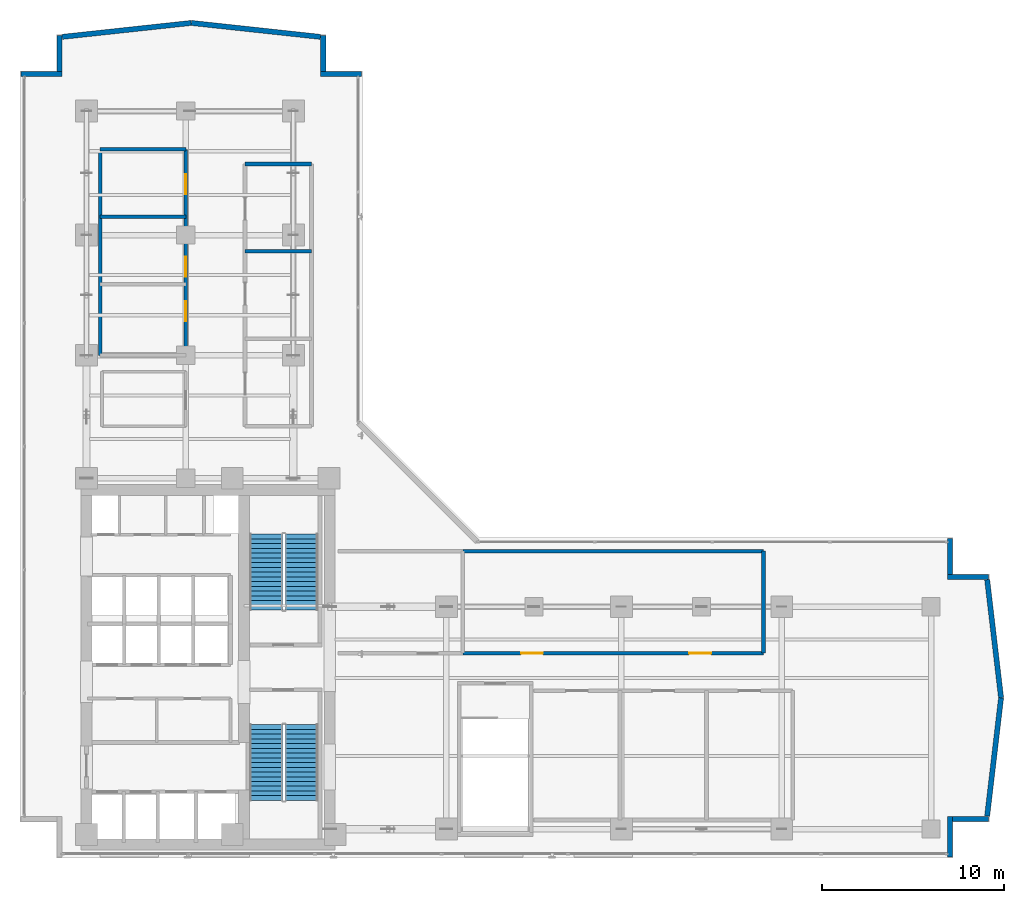
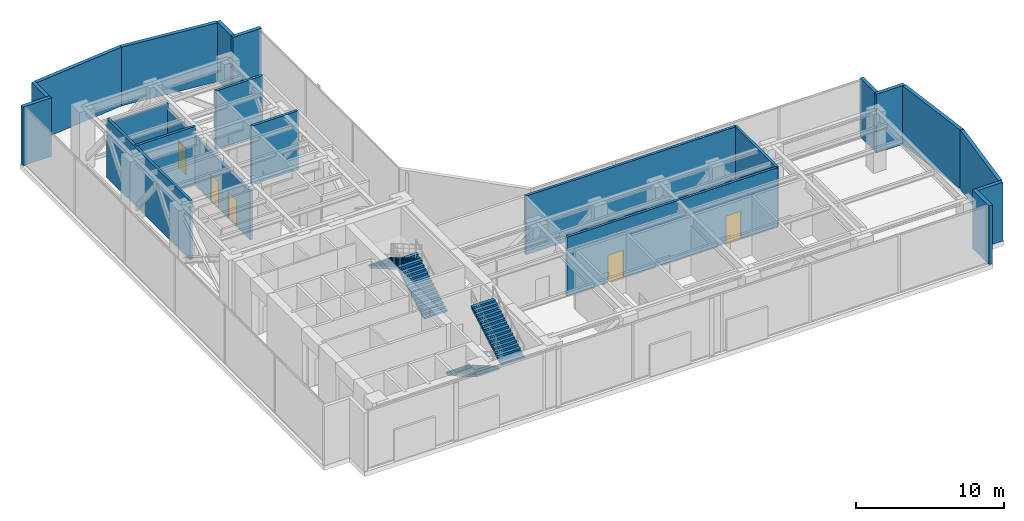
# One storey, part 32 of 36: 21 walls, 5 doors, 4 stair flights, 5 openings, 2 elements without a shape of their own.
"""IFC4 building model written with IfcOpenShell, lengths in metres."""

from ifc_helpers import new_model, si_unit, direction, frame, frame_2d, origin, place, context, subcontext, project, spatial, polyline, rectangle, outline, extrude, material, layer, layer_set, type_object, element, fill, aggregate, save


model = new_model("IFC4")

# Units and contexts
model_context = context("Model", 3, precision=1e-05, world=origin(), true_north=direction((0.0, 1.0)))
body_context = subcontext(model_context, "Body", "Model", "MODEL_VIEW")
ifc_project = project(units=[si_unit("LENGTHUNIT", "METRE"), si_unit("AREAUNIT", "SQUARE_METRE"), si_unit("VOLUMEUNIT", "CUBIC_METRE"), si_unit("PLANEANGLEUNIT", "RADIAN"), si_unit("MASSUNIT", "GRAM", prefix="KILO")], contexts=[model_context])

# Site, building, storey
site_placement = place(None, origin())
site = spatial("IfcSite", under=ifc_project, at=site_placement, CompositionType="ELEMENT")
building_placement = place(site_placement, origin())
building = spatial("IfcBuilding", under=site, at=building_placement, Name="Kolvaren Waterfront Exchange", CompositionType="ELEMENT")
storey_placement = place(building_placement, frame((0.0, 0.0, 199.39990234375)))
storey = spatial("IfcBuildingStorey", under=building, at=storey_placement, Name="L51", CompositionType="ELEMENT", Elevation=199.39990234375)

# Walls
ifc_material_1 = material(Name="Precast concrete C40/50", Category="concrete")
ifc_layer_1 = layer(ifc_material_1, 0.280029296875, Name="Precast concrete C40/50")
ifc_layer_set_1 = layer_set([ifc_layer_1], Name="Precast concrete C40/50")
wall_type_1 = type_object("IfcWallType", Name="ARC-EXT-TERR-280", PredefinedType="SOLIDWALL", material=ifc_layer_set_1)
wall_1_placement = place(storey_placement, frame((54.840087890625, 3.659912109375, 0.0), z_axis=(0.0, 0.0, 1.0), x_axis=(0.0, 1.0, 0.0)))
element("IfcWall", 1, at=wall_1_placement, inside=storey, type_object=wall_type_1, Name="L51 notched corner spandrel pier SE-A", PredefinedType="SOLIDWALL", context=body_context, shape_type="SweptSolid", body=[
    extrude(rectangle(XDim=2.239990234375, YDim=0.280029296875, at=frame_2d((1.1201171875, 0.0))), origin(), (0.0, 0.0, 1.0), 4.860107421875),
])
wall_2_placement = place(storey_placement, frame((54.97998046875, 5.760009765625, 0.0), z_axis=(0.0, 0.0, 1.0), x_axis=(1.0, 0.0, 0.0)))
element("IfcWall", 2, at=wall_2_placement, inside=storey, type_object=wall_type_1, Name="L51 notched corner spandrel pier SE-B", PredefinedType="SOLIDWALL", context=body_context, shape_type="SweptSolid", body=[
    extrude(rectangle(XDim=1.9599609375, YDim=0.280029296875, at=frame_2d((0.97998046875, 0.0))), origin(), (0.0, 0.0, 1.0), 4.860107421875),
])
wall_3_placement = place(storey_placement, frame((54.840087890625, 19.1650390625, 0.0), z_axis=(0.0, 0.0, 1.0), x_axis=(0.0, 1.0, 0.0)))
element("IfcWall", 3, at=wall_3_placement, inside=storey, type_object=wall_type_1, Name="L51 notched corner spandrel pier ENE-A", PredefinedType="SOLIDWALL", context=body_context, shape_type="SweptSolid", body=[
    extrude(rectangle(XDim=1.974853515625, YDim=0.280029296875, at=frame_2d((0.9873046875, 0.0))), origin(), (0.0, 0.0, 1.0), 4.860107421875),
])
for number, where, z_axis, x_axis, name in (
    (4, (54.699951171875, 19.0400390625, 0.0), (0.0, 0.0, 1.0), (1.0, 0.0, 0.0), "L51 notched corner spandrel pier ENE-B"),
    (5, (20.300048828125, 46.639892578125, 0.0), (0.0, 0.0, 1.0), (1.0, 0.0, 0.0), "L51 notched corner spandrel pier NNE-A"),
):
    element("IfcWall", number, at=place(storey_placement, frame(where, z_axis=z_axis, x_axis=x_axis)), inside=storey, type_object=wall_type_1, Name=name, PredefinedType="SOLIDWALL", context=body_context, shape_type="SweptSolid", body=[
        extrude(rectangle(XDim=2.239990234375, YDim=0.280029296875, at=frame_2d((1.1201171875, 0.0))), origin(), (0.0, 0.0, 1.0), 4.860107421875),
    ])
wall_4_placement = place(storey_placement, frame((20.43994140625, 46.780029296875, 0.0), z_axis=(0.0, 0.0, 1.0), x_axis=(0.0, 1.0, 0.0)))
element("IfcWall", 6, at=wall_4_placement, inside=storey, type_object=wall_type_1, Name="L51 notched corner spandrel pier NNE-B", PredefinedType="SOLIDWALL", context=body_context, shape_type="SweptSolid", body=[
    extrude(rectangle(XDim=1.9599609375, YDim=0.280029296875, at=frame_2d((0.97998046875, 0.0))), origin(), (0.0, 0.0, 1.0), 4.860107421875),
])
wall_5_placement = place(storey_placement, frame((3.860107421875, 46.639892578125, 0.0), z_axis=(0.0, 0.0, 1.0), x_axis=(1.0, 0.0, 0.0)))
element("IfcWall", 7, at=wall_5_placement, inside=storey, type_object=wall_type_1, Name="L51 notched corner spandrel pier NW-A", PredefinedType="SOLIDWALL", context=body_context, shape_type="SweptSolid", body=[
    extrude(rectangle(XDim=2.239990234375, YDim=0.280029296875, at=frame_2d((1.1201171875, 0.0))), origin(), (0.0, 0.0, 1.0), 4.860107421875),
])
wall_6_placement = place(storey_placement, frame((5.9599609375, 46.780029296875, 0.0), z_axis=(0.0, 0.0, 1.0), x_axis=(0.0, 1.0, 0.0)))
element("IfcWall", 8, at=wall_6_placement, inside=storey, type_object=wall_type_1, Name="L51 notched corner spandrel pier NW-B", PredefinedType="SOLIDWALL", context=body_context, shape_type="SweptSolid", body=[
    extrude(rectangle(XDim=1.9599609375, YDim=0.280029296875, at=frame_2d((0.97998046875, 0.0))), origin(), (0.0, 0.0, 1.0), 4.860107421875),
])
for number, where, z_axis, x_axis, name in (
    (9, (56.876220703125, 5.91650390625, 0.0), (0.0, 0.0, 1.0), (0.11685426921, 0.993149072278, 0.0), "L51 east prow faceted facade wall 1"),
    (10, (57.638916015625, 12.401123046875, 0.0), (0.0, 0.0, 1.0), (-0.11685426921, 0.993149072278, 0.0), "L51 east prow faceted facade wall 2"),
):
    element("IfcWall", number, at=place(storey_placement, frame(where, z_axis=z_axis, x_axis=x_axis)), inside=storey, type_object=wall_type_1, Name=name, PredefinedType="SOLIDWALL", context=body_context, shape_type="SweptSolid", body=[
        extrude(rectangle(XDim=6.52685546875, YDim=0.280029296875, at=frame_2d((3.263427734375, 0.0))), origin(), (0.0, 0.0, 1.0), 4.860107421875),
    ])
for number, where, z_axis, x_axis, name in (
    (11, (20.284423828125, 48.673095703125, 0.0), (0.0, 0.0, 1.0), (-0.994206651606, 0.107485505548, 0.0), "L51 north prow faceted facade wall 1"),
    (12, (13.197265625, 49.438720703125, 0.0), (0.0, 0.0, 1.0), (-0.994206651606, -0.107485505548, 0.0), "L51 north prow faceted facade wall 2"),
):
    element("IfcWall", number, at=place(storey_placement, frame(where, z_axis=z_axis, x_axis=x_axis)), inside=storey, type_object=wall_type_1, Name=name, PredefinedType="SOLIDWALL", context=body_context, shape_type="SweptSolid", body=[
        extrude(rectangle(XDim=7.123046875, YDim=0.280029296875, at=frame_2d((3.5615234375, 0.0))), origin(), (0.0, 0.0, 1.0), 4.860107421875),
    ])

# Wall, openings, doors
ifc_layer_2 = layer(ifc_material_1, 0.199951171875, Name="Precast concrete C40/50")
ifc_layer_set_2 = layer_set([ifc_layer_2], Name="Precast concrete C40/50")
wall_type_2 = type_object("IfcWallType", Name="ARC-FIRE-200", PredefinedType="PARTITIONING", material=ifc_layer_set_2)
wall_7_placement = place(storey_placement, frame((28.10009765625, 14.85009765625, 0.0), z_axis=(0.0, 0.0, 1.0), x_axis=(1.0, 0.0, 0.0)))
wall_7 = element("IfcWall", 13, at=wall_7_placement, inside=storey, type_object=wall_type_2, Name="L51 interior wall PW-L51-REF-S", PredefinedType="PARTITIONING", context=body_context, shape_type="SweptSolid", body=[
    extrude(rectangle(XDim=16.5, YDim=0.199951171875, at=frame_2d((8.25, 0.0))), origin(), (0.0, 0.0, 1.0), 4.860107421875),
])
opening_1_placement = place(wall_7_placement, frame((3.199951171875, 0.0, 0.0)))
opening_1 = element("IfcOpeningElement", 14, at=opening_1_placement, cuts=wall_7, Name="Opening FD3", PredefinedType="OPENING", context=body_context, shape_type="SweptSolid", body=[
    extrude(rectangle(XDim=1.199951171875, YDim=2.25, at=frame_2d((0.60009765625, 1.125))), frame((0.0, 0.10986328125, 0.0), z_axis=(0.0, -1.0, 0.0), x_axis=(1.0, 0.0, 0.0)), (0.0, 0.0, 1.0), 0.219970703125),
])
opening_2_placement = place(wall_7_placement, frame((12.421142578125, 0.0, 0.0)))
opening_2 = element("IfcOpeningElement", 15, at=opening_2_placement, cuts=wall_7, Name="Opening FD3", PredefinedType="OPENING", context=body_context, shape_type="SweptSolid", body=[
    extrude(rectangle(XDim=1.199951171875, YDim=2.25, at=frame_2d((0.60009765625, 1.125))), frame((0.0, 0.10986328125, 0.0), z_axis=(0.0, -1.0, 0.0), x_axis=(1.0, 0.0, 0.0)), (0.0, 0.0, 1.0), 0.219970703125),
])
ifc_material_2 = material(Name="Pressed steel fire door", Category="steel")
door_type_1 = type_object("IfcDoorType", Name="ARC-FD-1200", OperationType="NOTDEFINED", PredefinedType="DOOR", material=ifc_material_2)
door_1_placement = place(opening_1_placement, origin())
door_1 = element("IfcDoor", 16, at=door_1_placement, inside=storey, type_object=door_type_1, Name="L51 door DR-L51-REF-D1 (FD3)", OperationType="SINGLE_SWING_LEFT", OverallHeight=2.25, OverallWidth=1.199951171875, PredefinedType="DOOR", context=body_context, shape_type="SweptSolid", body=[
    extrude(rectangle(XDim=1.199951171875, YDim=2.25, at=frame_2d((0.60009765625, 1.125))), frame((0.0, 0.02490234375, 0.0), z_axis=(0.0, -1.0, 0.0), x_axis=(1.0, 0.0, 0.0)), (0.0, 0.0, 1.0), 0.050048828125),
])
fill(opening_1, door_1)
door_2_placement = place(opening_2_placement, origin())
door_2 = element("IfcDoor", 17, at=door_2_placement, inside=storey, type_object=door_type_1, Name="L51 door DR-L51-REF-D2 (FD3)", OperationType="SINGLE_SWING_RIGHT", OverallHeight=2.25, OverallWidth=1.199951171875, PredefinedType="DOOR", context=body_context, shape_type="SweptSolid", body=[
    extrude(rectangle(XDim=1.199951171875, YDim=2.25, at=frame_2d((0.60009765625, 1.125))), frame((0.0, 0.02490234375, 0.0), z_axis=(0.0, -1.0, 0.0), x_axis=(1.0, 0.0, 0.0)), (0.0, 0.0, 1.0), 0.050048828125),
])
fill(opening_2, door_2)

# Walls
wall_8_placement = place(storey_placement, frame((44.60009765625, 14.85009765625, 0.0), z_axis=(0.0, 0.0, 1.0), x_axis=(0.0, 1.0, 0.0)))
element("IfcWall", 18, at=wall_8_placement, inside=storey, type_object=wall_type_2, Name="L51 interior wall PW-L51-REF-E", PredefinedType="PARTITIONING", context=body_context, shape_type="SweptSolid", body=[
    extrude(rectangle(XDim=5.599853515625, YDim=0.199951171875, at=frame_2d((2.7998046875, 0.0))), origin(), (0.0, 0.0, 1.0), 4.860107421875),
])
wall_9_placement = place(storey_placement, frame((28.10009765625, 20.449951171875, 0.0), z_axis=(0.0, 0.0, 1.0), x_axis=(1.0, 0.0, 0.0)))
element("IfcWall", 19, at=wall_9_placement, inside=storey, type_object=wall_type_2, Name="L51 interior wall PW-L51-REF-N", PredefinedType="PARTITIONING", context=body_context, shape_type="SweptSolid", body=[
    extrude(rectangle(XDim=16.5, YDim=0.199951171875, at=frame_2d((8.25, 0.0))), origin(), (0.0, 0.0, 1.0), 4.860107421875),
])

# Wall, openings, doors
wall_10_placement = place(storey_placement, frame((12.89990234375, 31.199951171875, 0.0), z_axis=(0.0, 0.0, 1.0), x_axis=(0.0, 1.0, 0.0)))
wall_10 = element("IfcWall", 20, at=wall_10_placement, inside=storey, type_object=wall_type_2, Name="L51 interior wall PW-L51-PL-E3", PredefinedType="PARTITIONING", context=body_context, shape_type="SweptSolid", body=[
    extrude(rectangle(XDim=11.300048828125, YDim=0.199951171875, at=frame_2d((5.64990234375, 0.0))), origin(), (0.0, 0.0, 1.0), 4.06005859375),
])
opening_3_placement = place(wall_10_placement, frame((1.875, 0.0, 0.0)))
opening_3 = element("IfcOpeningElement", 21, at=opening_3_placement, cuts=wall_10, Name="Opening FD2", PredefinedType="OPENING", context=body_context, shape_type="SweptSolid", body=[
    extrude(rectangle(XDim=1.10009765625, YDim=2.199951171875, at=frame_2d((0.550048828125, 1.10009765625))), frame((0.0, 0.10986328125, 0.0), z_axis=(0.0, -1.0, 0.0), x_axis=(1.0, 0.0, 0.0)), (0.0, 0.0, 1.0), 0.219970703125),
])
opening_4_placement = place(wall_10_placement, frame((4.300048828125, 0.0, 0.0)))
opening_4 = element("IfcOpeningElement", 22, at=opening_4_placement, cuts=wall_10, Name="Opening FD2", PredefinedType="OPENING", context=body_context, shape_type="SweptSolid", body=[
    extrude(rectangle(XDim=1.10009765625, YDim=2.199951171875, at=frame_2d((0.550048828125, 1.10009765625))), frame((0.0, 0.10986328125, 0.0), z_axis=(0.0, -1.0, 0.0), x_axis=(1.0, 0.0, 0.0)), (0.0, 0.0, 1.0), 0.219970703125),
])
opening_5_placement = place(wall_10_placement, frame((8.827392578125, 0.0, 0.0)))
opening_5 = element("IfcOpeningElement", 23, at=opening_5_placement, cuts=wall_10, Name="Opening FD2", PredefinedType="OPENING", context=body_context, shape_type="SweptSolid", body=[
    extrude(rectangle(XDim=1.10009765625, YDim=2.199951171875, at=frame_2d((0.550048828125, 1.10009765625))), frame((0.0, 0.10986328125, 0.0), z_axis=(0.0, -1.0, 0.0), x_axis=(1.0, 0.0, 0.0)), (0.0, 0.0, 1.0), 0.219970703125),
])
ifc_material_3 = material(Name="Pressed steel smoke-seal fire door", Category="steel")
door_type_2 = type_object("IfcDoorType", Name="ARC-FD-1100", OperationType="NOTDEFINED", PredefinedType="DOOR", material=ifc_material_3)
door_3_placement = place(opening_3_placement, origin())
door_3 = element("IfcDoor", 24, at=door_3_placement, inside=storey, type_object=door_type_2, Name="L51 door DR-L51-PLNW-D1 (FD2)", OperationType="SINGLE_SWING_RIGHT", OverallHeight=2.199951171875, OverallWidth=1.10009765625, PredefinedType="DOOR", context=body_context, shape_type="SweptSolid", body=[
    extrude(rectangle(XDim=1.10009765625, YDim=2.199951171875, at=frame_2d((0.550048828125, 1.10009765625))), frame((0.0, 0.02490234375, 0.0), z_axis=(0.0, -1.0, 0.0), x_axis=(1.0, 0.0, 0.0)), (0.0, 0.0, 1.0), 0.050048828125),
])
fill(opening_3, door_3)
door_4_placement = place(opening_4_placement, origin())
door_4 = element("IfcDoor", 25, at=door_4_placement, inside=storey, type_object=door_type_2, Name="L51 door DR-L51-PLNW-D2 (FD2)", OperationType="SINGLE_SWING_LEFT", OverallHeight=2.199951171875, OverallWidth=1.10009765625, PredefinedType="DOOR", context=body_context, shape_type="SweptSolid", body=[
    extrude(rectangle(XDim=1.10009765625, YDim=2.199951171875, at=frame_2d((0.550048828125, 1.10009765625))), frame((0.0, 0.02490234375, 0.0), z_axis=(0.0, -1.0, 0.0), x_axis=(1.0, 0.0, 0.0)), (0.0, 0.0, 1.0), 0.050048828125),
])
fill(opening_4, door_4)
door_5_placement = place(opening_5_placement, origin())
door_5 = element("IfcDoor", 26, at=door_5_placement, inside=storey, type_object=door_type_2, Name="L51 door DR-L51-PLNW-D3 (FD2)", OperationType="SINGLE_SWING_RIGHT", OverallHeight=2.199951171875, OverallWidth=1.10009765625, PredefinedType="DOOR", context=body_context, shape_type="SweptSolid", body=[
    extrude(rectangle(XDim=1.10009765625, YDim=2.199951171875, at=frame_2d((0.550048828125, 1.10009765625))), frame((0.0, 0.02490234375, 0.0), z_axis=(0.0, -1.0, 0.0), x_axis=(1.0, 0.0, 0.0)), (0.0, 0.0, 1.0), 0.050048828125),
])
fill(opening_5, door_5)

# Walls
wall_11_placement = place(storey_placement, frame((8.199951171875, 31.199951171875, 0.0), z_axis=(0.0, 0.0, 1.0), x_axis=(0.0, 1.0, 0.0)))
element("IfcWall", 27, at=wall_11_placement, inside=storey, type_object=wall_type_2, Name="L51 interior wall PW-L51-PL-W3", PredefinedType="PARTITIONING", context=body_context, shape_type="SweptSolid", body=[
    extrude(rectangle(XDim=11.300048828125, YDim=0.199951171875, at=frame_2d((5.64990234375, 0.0))), origin(), (0.0, 0.0, 1.0), 4.860107421875),
])
wall_12_placement = place(storey_placement, frame((8.199951171875, 42.5, 0.0), z_axis=(0.0, 0.0, 1.0), x_axis=(1.0, 0.0, 0.0)))
element("IfcWall", 28, at=wall_12_placement, inside=storey, type_object=wall_type_2, Name="L51 interior wall PW-L51-PL-N3", PredefinedType="PARTITIONING", context=body_context, shape_type="SweptSolid", body=[
    extrude(rectangle(XDim=4.699951171875, YDim=0.199951171875, at=frame_2d((2.35009765625, 0.0))), origin(), (0.0, 0.0, 1.0), 4.5),
])
wall_13_placement = place(storey_placement, frame((8.199951171875, 38.800048828125, 0.0), z_axis=(0.0, 0.0, 1.0), x_axis=(1.0, 0.0, 0.0)))
element("IfcWall", 29, at=wall_13_placement, inside=storey, type_object=wall_type_2, Name="L51 interior wall PW-L51-PL-M3-2", PredefinedType="PARTITIONING", context=body_context, shape_type="SweptSolid", body=[
    extrude(rectangle(XDim=4.699951171875, YDim=0.199951171875, at=frame_2d((2.35009765625, 0.0))), origin(), (0.0, 0.0, 1.0), 4.860107421875),
])
for number, where, z_axis, x_axis, name in (
    (30, (16.14990234375, 41.699951171875, 0.0), (0.0, 0.0, 1.0), (1.0, 0.0, 0.0), "L51 interior wall PW-L51-PL-N4"),
    (31, (16.14990234375, 36.89990234375, 0.0), (0.0, 0.0, 1.0), (1.0, 0.0, 0.0), "L51 interior wall PW-L51-PL-M4-2"),
):
    element("IfcWall", number, at=place(storey_placement, frame(where, z_axis=z_axis, x_axis=x_axis)), inside=storey, type_object=wall_type_2, Name=name, PredefinedType="PARTITIONING", context=body_context, shape_type="SweptSolid", body=[
        extrude(rectangle(XDim=3.650146484375, YDim=0.199951171875, at=frame_2d((1.8251953125, 0.0))), origin(), (0.0, 0.0, 1.0), 4.860107421875),
    ])

# Stair, stair flights
ifc_material_4 = material(Name="Concrete C40/50", Category="concrete")
stair_type = type_object("IfcStairType", Name="ARC-STAIR-5100", PredefinedType="HALF_TURN_STAIR", material=ifc_material_4)
stair_1_placement = place(storey_placement, origin())
stair_1 = element("IfcStair", 32, at=stair_1_placement, inside=storey, type_object=stair_type, Name="L51 Smoke-proof exit stair ST1", PredefinedType="HALF_TURN_STAIR")
stair_flight_type = type_object("IfcStairFlightType", Name="ARC-FLIGHT-5100", PredefinedType="STRAIGHT", material=ifc_material_4)
stair_flight_1_placement = place(storey_placement, frame((17.300048828125, 10.929931640625, 0.0), z_axis=(0.0, 0.0, 1.0), x_axis=(0.0, -1.0, 0.0)))
stair_flight_1 = element("IfcStairFlight", 33, at=stair_flight_1_placement, type_object=stair_flight_type, Name="ST1 flight 1", NumberOfRisers=17, NumberOfTreads=16, PredefinedType="STRAIGHT", RiserHeight=0.15, TreadLength=0.26, context=body_context, shape_type="SweptSolid", body=[
    extrude(outline(polyline([(0.0, 0.0), (0.0, 0.14990234375), (0.260009765625, 0.14990234375), (0.260009765625, 0.300048828125), (0.52001953125, 0.300048828125), (0.52001953125, 0.449951171875), (0.780029296875, 0.449951171875), (0.780029296875, 0.60009765625), (1.0400390625, 0.60009765625), (1.0400390625, 0.75), (1.300048828125, 0.75), (1.300048828125, 0.89990234375), (1.56005859375, 0.89990234375), (1.56005859375, 1.050048828125), (1.820068359375, 1.050048828125), (1.820068359375, 1.199951171875), (2.080078125, 1.199951171875), (2.080078125, 1.35009765625), (2.340087890625, 1.35009765625), (2.340087890625, 1.5), (2.60009765625, 1.5), (2.60009765625, 1.64990234375), (2.860107421875, 1.64990234375), (2.860107421875, 1.800048828125), (3.1201171875, 1.800048828125), (3.1201171875, 1.949951171875), (3.3798828125, 1.949951171875), (3.3798828125, 2.10009765625), (3.639892578125, 2.10009765625), (3.639892578125, 2.25), (3.89990234375, 2.25), (3.89990234375, 2.39990234375), (4.159912109375, 2.39990234375), (4.159912109375, 2.550048828125), (4.159912109375, 2.22705078125), (0.300048828125, 0.0), (0.0, 0.0)])), frame((0.0, 0.89990234375, 0.0), z_axis=(0.0, -1.0, 0.0), x_axis=(1.0, 0.0, 0.0)), (0.0, 0.0, 1.0), 1.800048828125),
])
stair_flight_2_placement = place(storey_placement, frame((19.260009765625, 6.77001953125, 2.550048828125), z_axis=(0.0, 0.0, 1.0), x_axis=(0.0, 1.0, 0.0)))
stair_flight_2 = element("IfcStairFlight", 34, at=stair_flight_2_placement, type_object=stair_flight_type, Name="ST1 flight 2", NumberOfRisers=17, NumberOfTreads=16, PredefinedType="STRAIGHT", RiserHeight=0.15, TreadLength=0.26, context=body_context, shape_type="SweptSolid", body=[
    extrude(outline(polyline([(0.0, 0.0), (0.0, 0.14990234375), (0.260009765625, 0.14990234375), (0.260009765625, 0.300048828125), (0.52001953125, 0.300048828125), (0.52001953125, 0.449951171875), (0.780029296875, 0.449951171875), (0.780029296875, 0.60009765625), (1.0400390625, 0.60009765625), (1.0400390625, 0.75), (1.300048828125, 0.75), (1.300048828125, 0.89990234375), (1.56005859375, 0.89990234375), (1.56005859375, 1.050048828125), (1.820068359375, 1.050048828125), (1.820068359375, 1.199951171875), (2.080078125, 1.199951171875), (2.080078125, 1.35009765625), (2.340087890625, 1.35009765625), (2.340087890625, 1.5), (2.60009765625, 1.5), (2.60009765625, 1.64990234375), (2.860107421875, 1.64990234375), (2.860107421875, 1.800048828125), (3.1201171875, 1.800048828125), (3.1201171875, 1.949951171875), (3.3798828125, 1.949951171875), (3.3798828125, 2.10009765625), (3.639892578125, 2.10009765625), (3.639892578125, 2.25), (3.89990234375, 2.25), (3.89990234375, 2.39990234375), (4.159912109375, 2.39990234375), (4.159912109375, 2.550048828125), (4.159912109375, 2.22705078125), (0.300048828125, 0.0), (0.0, 0.0)])), frame((0.0, 0.89990234375, 0.0), z_axis=(0.0, -1.0, 0.0), x_axis=(1.0, 0.0, 0.0)), (0.0, 0.0, 1.0), 1.800048828125),
])
aggregate(stair_1, [stair_flight_1, stair_flight_2])

stair_2_placement = place(storey_placement, origin())
stair_2 = element("IfcStair", 35, at=stair_2_placement, inside=storey, type_object=stair_type, Name="L51 Smoke-proof exit stair ST2", PredefinedType="HALF_TURN_STAIR")
stair_flight_3_placement = place(storey_placement, frame((19.260009765625, 17.219970703125, 0.0), z_axis=(0.0, 0.0, 1.0), x_axis=(0.0, 1.0, 0.0)))
stair_flight_3 = element("IfcStairFlight", 36, at=stair_flight_3_placement, type_object=stair_flight_type, Name="ST2 flight 1", NumberOfRisers=17, NumberOfTreads=16, PredefinedType="STRAIGHT", RiserHeight=0.15, TreadLength=0.26, context=body_context, shape_type="SweptSolid", body=[
    extrude(outline(polyline([(0.0, 0.0), (0.0, 0.14990234375), (0.260009765625, 0.14990234375), (0.260009765625, 0.300048828125), (0.52001953125, 0.300048828125), (0.52001953125, 0.449951171875), (0.780029296875, 0.449951171875), (0.780029296875, 0.60009765625), (1.0400390625, 0.60009765625), (1.0400390625, 0.75), (1.300048828125, 0.75), (1.300048828125, 0.89990234375), (1.56005859375, 0.89990234375), (1.56005859375, 1.050048828125), (1.820068359375, 1.050048828125), (1.820068359375, 1.199951171875), (2.080078125, 1.199951171875), (2.080078125, 1.35009765625), (2.340087890625, 1.35009765625), (2.340087890625, 1.5), (2.60009765625, 1.5), (2.60009765625, 1.64990234375), (2.860107421875, 1.64990234375), (2.860107421875, 1.800048828125), (3.1201171875, 1.800048828125), (3.1201171875, 1.949951171875), (3.3798828125, 1.949951171875), (3.3798828125, 2.10009765625), (3.639892578125, 2.10009765625), (3.639892578125, 2.25), (3.89990234375, 2.25), (3.89990234375, 2.39990234375), (4.159912109375, 2.39990234375), (4.159912109375, 2.550048828125), (4.159912109375, 2.22705078125), (0.300048828125, 0.0), (0.0, 0.0)])), frame((0.0, 0.89990234375, 0.0), z_axis=(0.0, -1.0, 0.0), x_axis=(1.0, 0.0, 0.0)), (0.0, 0.0, 1.0), 1.800048828125),
])
stair_flight_4_placement = place(storey_placement, frame((17.300048828125, 21.3798828125, 2.550048828125), z_axis=(0.0, 0.0, 1.0), x_axis=(0.0, -1.0, 0.0)))
stair_flight_4 = element("IfcStairFlight", 37, at=stair_flight_4_placement, type_object=stair_flight_type, Name="ST2 flight 2", NumberOfRisers=17, NumberOfTreads=16, PredefinedType="STRAIGHT", RiserHeight=0.15, TreadLength=0.26, context=body_context, shape_type="SweptSolid", body=[
    extrude(outline(polyline([(0.0, 0.0), (0.0, 0.14990234375), (0.260009765625, 0.14990234375), (0.260009765625, 0.300048828125), (0.52001953125, 0.300048828125), (0.52001953125, 0.449951171875), (0.780029296875, 0.449951171875), (0.780029296875, 0.60009765625), (1.0400390625, 0.60009765625), (1.0400390625, 0.75), (1.300048828125, 0.75), (1.300048828125, 0.89990234375), (1.56005859375, 0.89990234375), (1.56005859375, 1.050048828125), (1.820068359375, 1.050048828125), (1.820068359375, 1.199951171875), (2.080078125, 1.199951171875), (2.080078125, 1.35009765625), (2.340087890625, 1.35009765625), (2.340087890625, 1.5), (2.60009765625, 1.5), (2.60009765625, 1.64990234375), (2.860107421875, 1.64990234375), (2.860107421875, 1.800048828125), (3.1201171875, 1.800048828125), (3.1201171875, 1.949951171875), (3.3798828125, 1.949951171875), (3.3798828125, 2.10009765625), (3.639892578125, 2.10009765625), (3.639892578125, 2.25), (3.89990234375, 2.25), (3.89990234375, 2.39990234375), (4.159912109375, 2.39990234375), (4.159912109375, 2.550048828125), (4.159912109375, 2.22705078125), (0.300048828125, 0.0), (0.0, 0.0)])), frame((0.0, 0.89990234375, 0.0), z_axis=(0.0, -1.0, 0.0), x_axis=(1.0, 0.0, 0.0)), (0.0, 0.0, 1.0), 1.800048828125),
])
aggregate(stair_2, [stair_flight_3, stair_flight_4])

save(model, "model.ifc")
